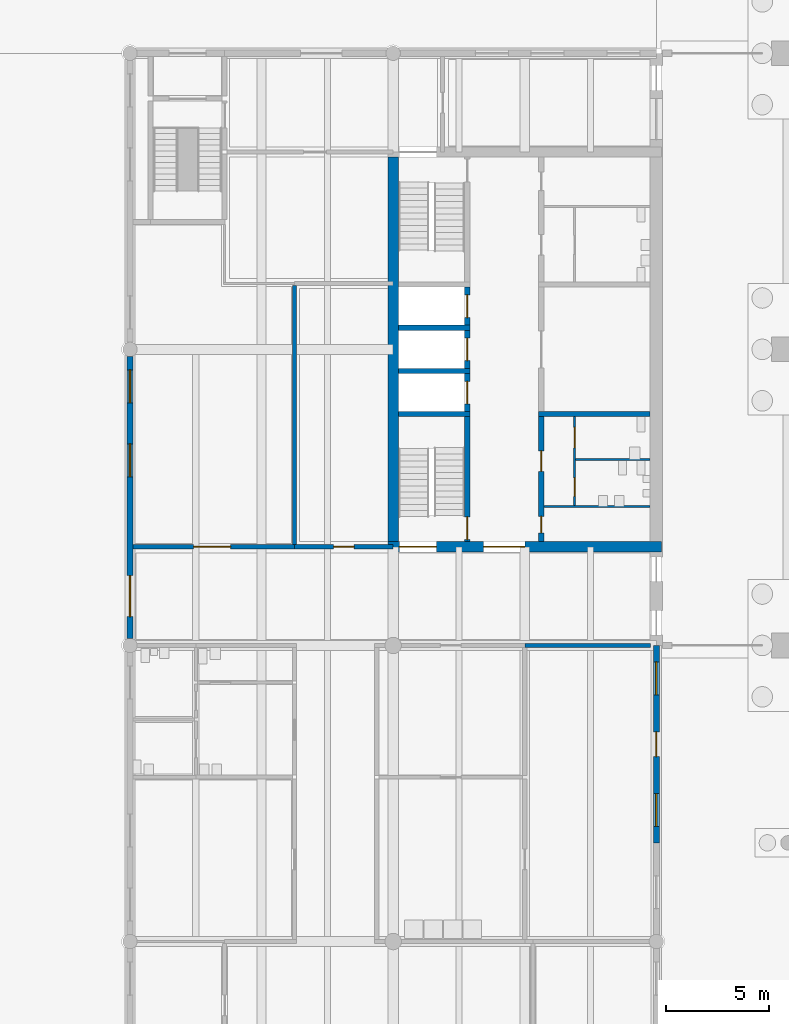
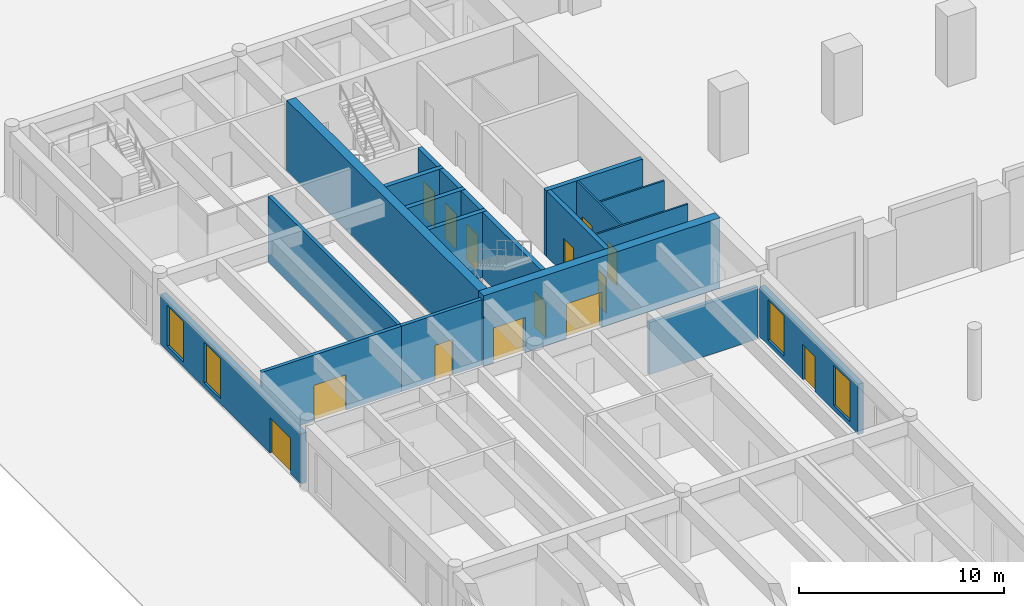
# One storey, part 14 of 28: 20 walls, 14 doors, 4 windows, 18 openings.
"""IFC4 building model written with IfcOpenShell, lengths in metres."""

import ifcopenshell
import ifcopenshell.guid

model = None  # the IFC model being written
_history = None  # IfcOwnerHistory: only IFC2X3 demands one
_inside = {}  # id of a spatial element -> (the spatial element, [elements in it])
_under = {}  # id of a project, library or spatial element -> (it, [spatial elements below it])
_declared = {}  # id of a project -> (the project, [libraries it declares])
_typed = {}  # id of a type object -> (the type object, [elements of that type])
_made_of = {}  # id of a material, layer set ... -> (it, [elements and type objects made of it])


def new_model(schema):
    """Start an empty IFC model of exactly this schema.

    Asked for "IFC4X3", IfcOpenShell would pick the latest addendum, in which some entities
    have other attributes; the version numbers below select the first issue.
    IFC2X3 requires an IfcOwnerHistory on every rooted entity: one is made here for all.
    """
    global model, _history
    if schema == "IFC4X3":
        model = ifcopenshell.file(schema_version=(4, 3, 0, 0))
    else:
        model = ifcopenshell.file(schema=schema)
    _inside.clear()
    _under.clear()
    _declared.clear()
    _typed.clear()
    _made_of.clear()
    _history = None
    if model.schema == "IFC2X3":
        org = make("IfcOrganization", Name="unknown")
        user = make(
            "IfcPersonAndOrganization",
            ThePerson=make("IfcPerson", FamilyName="unknown"),
            TheOrganization=org,
        )
        app = make(
            "IfcApplication",
            ApplicationDeveloper=org,
            Version="unknown",
            ApplicationFullName="unknown",
            ApplicationIdentifier="unknown",
        )
        _history = make(
            "IfcOwnerHistory",
            OwningUser=user,
            OwningApplication=app,
            ChangeAction="ADDED",
            CreationDate=0,
        )
    return model


def make(cls, **values):
    """One entity of the class cls with the attributes given. An attribute that is None is left unset."""
    return model.create_entity(
        cls, **{name: value for name, value in values.items() if value is not None}
    )


def rooted(cls, **values):
    """An entity with a GlobalId (a new one), such as an element, a storey or a relation."""
    return make(cls, GlobalId=ifcopenshell.guid.new(), OwnerHistory=_history, **values)


def si_unit(unit_type, name, prefix=None):
    """IfcSIUnit, for example si_unit("LENGTHUNIT", "METRE", prefix="MILLI")."""
    return make("IfcSIUnit", UnitType=unit_type, Prefix=prefix, Name=name)


def assignment(units):
    """IfcUnitAssignment: the units of a project."""
    return None if units is None else make("IfcUnitAssignment", Units=units)


def point(xyz):
    """IfcCartesianPoint."""
    return None if xyz is None else make("IfcCartesianPoint", Coordinates=xyz)


def direction(xyz):
    """IfcDirection."""
    return None if xyz is None else make("IfcDirection", DirectionRatios=xyz)


def frame(location, z_axis=None, x_axis=None):
    """IfcAxis2Placement3D, a coordinate frame: its origin and axes. An axis left out is left unset."""
    return make(
        "IfcAxis2Placement3D",
        Location=point(location),
        Axis=direction(z_axis),
        RefDirection=direction(x_axis),
    )


def frame_2d(location, x_axis=None):
    """IfcAxis2Placement2D, a coordinate frame in the plane: its origin and x axis."""
    return make(
        "IfcAxis2Placement2D", Location=point(location), RefDirection=direction(x_axis)
    )


def origin():
    """The frame at (0, 0, 0) with its axes left unset."""
    return frame((0.0, 0.0, 0.0))


def place(relative_to, where):
    """IfcLocalPlacement: puts the frame where relative to a parent placement (None: the world)."""
    return make(
        "IfcLocalPlacement", PlacementRelTo=relative_to, RelativePlacement=where
    )


def context(
    kind, dimensions, precision=None, world=None, true_north=None, identifier=None
):
    """IfcGeometricRepresentationContext, for example the 3D "Model" context."""
    return make(
        "IfcGeometricRepresentationContext",
        ContextIdentifier=identifier,
        ContextType=kind,
        CoordinateSpaceDimension=dimensions,
        Precision=precision,
        WorldCoordinateSystem=world,
        TrueNorth=true_north,
    )


def subcontext(parent, identifier, kind, view, scale=None):
    """IfcGeometricRepresentationSubContext, for example "Body" below "Model"."""
    return make(
        "IfcGeometricRepresentationSubContext",
        ContextIdentifier=identifier,
        ContextType=kind,
        ParentContext=parent,
        TargetScale=scale,
        TargetView=view,
    )


def project(units=None, contexts=None):
    """IfcProject with its units and contexts."""
    return rooted(
        "IfcProject",
        Name="project",
        RepresentationContexts=contexts,
        UnitsInContext=assignment(units),
    )


def spatial(cls, under=None, at=None, **own):
    """A site, building, storey or space (cls), placed at a placement, below another one or the project."""
    s = rooted(cls, ObjectPlacement=at, **own)
    if under is not None:
        _under.setdefault(under.id(), (under, []))[1].append(s)
    return s


def profile(cls, at=None, kind="AREA", **sizes):
    """A parametric profile (cls). Its sizes go by their IFC names, for example OverallWidth=200.0."""
    return make(cls, ProfileType=kind, Position=at, **sizes)


def rectangle(**sizes):
    """IfcRectangleProfileDef."""
    return profile("IfcRectangleProfileDef", **sizes)


def extrude(swept, where, along, depth):
    """IfcExtrudedAreaSolid: the profile swept, set in the frame where, extruded along a direction by depth."""
    return make(
        "IfcExtrudedAreaSolid",
        SweptArea=swept,
        Position=where,
        ExtrudedDirection=direction(along),
        Depth=depth,
    )


def shape(context_of_items, identifier, shape_type, items):
    """IfcShapeRepresentation: the items that make up one representation, for example the "Body"."""
    return make(
        "IfcShapeRepresentation",
        ContextOfItems=context_of_items,
        RepresentationIdentifier=identifier,
        RepresentationType=shape_type,
        Items=items,
    )


def material(Name=None, Category=None):
    """IfcMaterial."""
    return make("IfcMaterial", Name=Name, Category=Category)


def layer(
    of_material, thickness, ventilated=None, Name=None, Category=None, Priority=None
):
    """IfcMaterialLayer: one layer of a wall or slab, of a material (None: an air gap)."""
    return make(
        "IfcMaterialLayer",
        Material=of_material,
        LayerThickness=thickness,
        IsVentilated=ventilated,
        Name=Name,
        Category=Category,
        Priority=Priority,
    )


def layer_set(layers, Name=None):
    """IfcMaterialLayerSet."""
    return make("IfcMaterialLayerSet", MaterialLayers=layers, LayerSetName=Name)


def made_of(thing, what):
    """Note that an element or type object is made of a material, layer set ...; save() writes the relation."""
    if what is not None:
        _made_of.setdefault(what.id(), (what, []))[1].append(thing)
    return thing


def type_object(cls, material=None, **own):
    """A type object (cls), such as IfcWallType, which elements share."""
    return made_of(rooted(cls, **own), material)


def element(
    cls,
    number,
    at=None,
    inside=None,
    cuts=None,
    type_object=None,
    material=None,
    context=None,
    identifier="Body",
    shape_type=None,
    held_by="IfcProductDefinitionShape",
    body=None,
    shapes=None,
    **own,
):
    """One element of the class cls, such as IfcWall. Its Tag is "e" and its number.

    at: its placement. inside: the storey or other place that contains it. cuts: it is an
    opening in that element (IfcRelVoidsElement). A single representation is given by context,
    identifier, shape_type and body (its items); several are given by shapes. held_by: the class
    of the entity that holds the representations. save() writes the other relations.
    """
    e = rooted(cls, Tag="e%d" % number, ObjectPlacement=at, **own)
    if body is not None:
        shapes = [shape(context, identifier, shape_type, body)]
    if shapes is not None:
        e.Representation = make(held_by, Representations=shapes)
    if inside is not None:
        _inside.setdefault(inside.id(), (inside, []))[1].append(e)
    if cuts is not None:
        rooted(
            "IfcRelVoidsElement", RelatingBuildingElement=cuts, RelatedOpeningElement=e
        )
    if type_object is not None:
        _typed.setdefault(type_object.id(), (type_object, []))[1].append(e)
    return made_of(e, material)


def fill(opening, filler):
    """IfcRelFillsElement: the door or window that sits in an opening."""
    return rooted(
        "IfcRelFillsElement",
        RelatingOpeningElement=opening,
        RelatedBuildingElement=filler,
    )


def aggregate(whole, parts):
    """IfcRelAggregates: a whole, such as a stair, and the parts it consists of."""
    return rooted("IfcRelAggregates", RelatingObject=whole, RelatedObjects=parts)


def save(model, path):
    """Write the relations noted so far, then the file.

    IfcRelAggregates (storeys below a building ...), IfcRelContainedInSpatialStructure (elements
    in a storey), IfcRelDefinesByType, IfcRelAssociatesMaterial and IfcRelDeclares: one each for
    every whole, place, type object, material and project.
    """
    for whole, parts in _under.values():
        aggregate(whole, parts)
    for where, things in _inside.values():
        rooted(
            "IfcRelContainedInSpatialStructure",
            RelatedElements=things,
            RelatingStructure=where,
        )
    for kind, things in _typed.values():
        rooted("IfcRelDefinesByType", RelatedObjects=things, RelatingType=kind)
    for what, things in _made_of.values():
        rooted("IfcRelAssociatesMaterial", RelatedObjects=things, RelatingMaterial=what)
    for by, libraries in _declared.values():
        rooted("IfcRelDeclares", RelatingContext=by, RelatedDefinitions=libraries)
    model.write(path)


model = new_model("IFC4")

# Units and contexts
model_context = context("Model", 3, precision=1e-05, world=origin(), true_north=direction((0.0, 1.0)))
body_context = subcontext(model_context, "Body", "Model", "MODEL_VIEW")
ifc_project = project(units=[si_unit("LENGTHUNIT", "METRE"), si_unit("AREAUNIT", "SQUARE_METRE"), si_unit("VOLUMEUNIT", "CUBIC_METRE"), si_unit("PLANEANGLEUNIT", "RADIAN"), si_unit("MASSUNIT", "GRAM", prefix="KILO")], contexts=[model_context])

# Site, building, storey
site_placement = place(None, origin())
site = spatial("IfcSite", under=ifc_project, at=site_placement, CompositionType="ELEMENT")
building_placement = place(site_placement, origin())
building = spatial("IfcBuilding", under=site, at=building_placement, Name="Fogon Plaza Fire Station and Headquarters Tower", CompositionType="ELEMENT")
storey_placement = place(building_placement, origin())
storey = spatial("IfcBuildingStorey", under=building, at=storey_placement, Name="L00", CompositionType="ELEMENT", Elevation=0.0)

# Wall, openings, door, windows
ifc_material_1 = material(Name="Concrete C40", Category="concrete")
ifc_layer_1 = layer(ifc_material_1, 0.300048828125)
ifc_layer_set_1 = layer_set([ifc_layer_1], Name="Concrete C40")
wall_type_1 = type_object("IfcWallType", Name="Board-marked RC Infill Wall 300", PredefinedType="SOLIDWALL", material=ifc_layer_set_1)
wall_1_placement = place(storey_placement, frame((0.0, 29.14990234375, 0.0), z_axis=(0.0, 0.0, 1.0), x_axis=(0.0, 1.0, 0.0)))
wall_1 = element("IfcWall", 1, at=wall_1_placement, inside=storey, type_object=wall_type_1, Name="Exterior wall WW L00", PredefinedType="SOLIDWALL", context=body_context, shape_type="SweptSolid", body=[
    extrude(rectangle(XDim=13.7001953125, YDim=0.300048828125, at=frame_2d((6.85009765625, 0.0))), origin(), (0.0, 0.0, 1.0), 3.0),
])
opening_1_placement = place(wall_1_placement, frame((1.050048828125, 0.0, 0.0)))
opening_1 = element("IfcOpeningElement", 2, at=opening_1_placement, cuts=wall_1, Name="Opening L00-D06", PredefinedType="OPENING", context=body_context, shape_type="SweptSolid", body=[
    extrude(rectangle(XDim=2.0, YDim=2.10009765625, at=frame_2d((1.0, 1.050048828125))), frame((0.0, 0.159912109375, 0.0), z_axis=(0.0, -1.0, 0.0), x_axis=(1.0, 0.0, 0.0)), (0.0, 0.0, 1.0), 0.320068359375),
])
opening_2_placement = place(wall_1_placement, frame((7.85009765625, 0.0, 0.300048828125)))
opening_2 = element("IfcOpeningElement", 3, at=opening_2_placement, cuts=wall_1, Name="Opening W2", PredefinedType="OPENING", context=body_context, shape_type="SweptSolid", body=[
    extrude(rectangle(XDim=1.60009765625, YDim=2.39990234375, at=frame_2d((0.800048828125, 1.199951171875))), frame((0.0, 0.159912109375, 0.0), z_axis=(0.0, -1.0, 0.0), x_axis=(1.0, 0.0, 0.0)), (0.0, 0.0, 1.0), 0.320068359375),
])
opening_3_placement = place(wall_1_placement, frame((11.449951171875, 0.0, 0.300048828125)))
opening_3 = element("IfcOpeningElement", 4, at=opening_3_placement, cuts=wall_1, Name="Opening W2", PredefinedType="OPENING", context=body_context, shape_type="SweptSolid", body=[
    extrude(rectangle(XDim=1.60009765625, YDim=2.39990234375, at=frame_2d((0.800048828125, 1.199951171875))), frame((0.0, 0.159912109375, 0.0), z_axis=(0.0, -1.0, 0.0), x_axis=(1.0, 0.0, 0.0)), (0.0, 0.0, 1.0), 0.320068359375),
])
ifc_material_2 = material(Name="Steel Door Leaf", Category="steel")
door_type_1 = type_object("IfcDoorType", Name="Exit Double 2000x2100", OperationType="SINGLE_SWING_LEFT", PredefinedType="DOOR", material=ifc_material_2)
door_1_placement = place(opening_1_placement, origin())
door_1 = element("IfcDoor", 5, at=door_1_placement, inside=storey, type_object=door_type_1, Name="Exterior door L00-D06", OperationType="SINGLE_SWING_LEFT", OverallHeight=2.10009765625, OverallWidth=2.0, PredefinedType="DOOR", context=body_context, shape_type="SweptSolid", body=[
    extrude(rectangle(XDim=2.0, YDim=2.10009765625, at=frame_2d((1.0, 1.050048828125))), frame((0.0, 0.02490234375, 0.0), z_axis=(0.0, -1.0, 0.0), x_axis=(1.0, 0.0, 0.0)), (0.0, 0.0, 1.0), 0.050048828125),
])
fill(opening_1, door_1)
ifc_material_3 = material(Name="Aluminium framed double glazing", Category="aluminium")
window_type = type_object("IfcWindowType", Name="Window W2 1600x2400", PartitioningType="SINGLE_PANEL", PredefinedType="WINDOW", material=ifc_material_3)
window_1_placement = place(opening_2_placement, origin())
window_1 = element("IfcWindow", 6, at=window_1_placement, inside=storey, type_object=window_type, Name="Window W2 W L00", OverallHeight=2.39990234375, OverallWidth=1.60009765625, PartitioningType="SINGLE_PANEL", PredefinedType="WINDOW", context=body_context, shape_type="SweptSolid", body=[
    extrude(rectangle(XDim=1.60009765625, YDim=2.39990234375, at=frame_2d((0.800048828125, 1.199951171875))), frame((0.0, 0.030029296875, 0.0), z_axis=(0.0, -1.0, 0.0), x_axis=(1.0, 0.0, 0.0)), (0.0, 0.0, 1.0), 0.06005859375),
])
fill(opening_2, window_1)
window_2_placement = place(opening_3_placement, origin())
window_2 = element("IfcWindow", 7, at=window_2_placement, inside=storey, type_object=window_type, Name="Window W2 W L00", OverallHeight=2.39990234375, OverallWidth=1.60009765625, PartitioningType="SINGLE_PANEL", PredefinedType="WINDOW", context=body_context, shape_type="SweptSolid", body=[
    extrude(rectangle(XDim=1.60009765625, YDim=2.39990234375, at=frame_2d((0.800048828125, 1.199951171875))), frame((0.0, 0.030029296875, 0.0), z_axis=(0.0, -1.0, 0.0), x_axis=(1.0, 0.0, 0.0)), (0.0, 0.0, 1.0), 0.06005859375),
])
fill(opening_3, window_2)

wall_2_placement = place(storey_placement, frame((25.60009765625, 19.199951171875, 0.0), z_axis=(0.0, 0.0, 1.0), x_axis=(0.0, 1.0, 0.0)))
wall_2 = element("IfcWall", 8, at=wall_2_placement, inside=storey, type_object=wall_type_1, Name="Exterior wall WE L00", PredefinedType="SOLIDWALL", context=body_context, shape_type="SweptSolid", body=[
    extrude(rectangle(XDim=9.60009765625, YDim=0.300048828125, at=frame_2d((4.800048828125, 0.0))), origin(), (0.0, 0.0, 1.0), 3.0),
])
opening_4_placement = place(wall_2_placement, frame((4.199951171875, 0.0, 0.0)))
opening_4 = element("IfcOpeningElement", 9, at=opening_4_placement, cuts=wall_2, Name="Opening L00-D07", PredefinedType="OPENING", context=body_context, shape_type="SweptSolid", body=[
    extrude(rectangle(XDim=1.199951171875, YDim=2.10009765625, at=frame_2d((0.60009765625, 1.050048828125))), frame((0.0, 0.159912109375, 0.0), z_axis=(0.0, -1.0, 0.0), x_axis=(1.0, 0.0, 0.0)), (0.0, 0.0, 1.0), 0.320068359375),
])
opening_5_placement = place(wall_2_placement, frame((0.800048828125, 0.0, 0.300048828125)))
opening_5 = element("IfcOpeningElement", 10, at=opening_5_placement, cuts=wall_2, Name="Opening W2", PredefinedType="OPENING", context=body_context, shape_type="SweptSolid", body=[
    extrude(rectangle(XDim=1.60009765625, YDim=2.39990234375, at=frame_2d((0.800048828125, 1.199951171875))), frame((0.0, 0.159912109375, 0.0), z_axis=(0.0, -1.0, 0.0), x_axis=(1.0, 0.0, 0.0)), (0.0, 0.0, 1.0), 0.320068359375),
])
opening_6_placement = place(wall_2_placement, frame((7.199951171875, 0.0, 0.300048828125)))
opening_6 = element("IfcOpeningElement", 11, at=opening_6_placement, cuts=wall_2, Name="Opening W2", PredefinedType="OPENING", context=body_context, shape_type="SweptSolid", body=[
    extrude(rectangle(XDim=1.60009765625, YDim=2.39990234375, at=frame_2d((0.800048828125, 1.199951171875))), frame((0.0, 0.159912109375, 0.0), z_axis=(0.0, -1.0, 0.0), x_axis=(1.0, 0.0, 0.0)), (0.0, 0.0, 1.0), 0.320068359375),
])
ifc_material_4 = material(Name="Steel Door Leaf", Category="steel")
door_type_2 = type_object("IfcDoorType", Name="Service Single 1200x2100", OperationType="SINGLE_SWING_LEFT", PredefinedType="DOOR", material=ifc_material_4)
door_2_placement = place(opening_4_placement, frame((1.199951171875, 0.0, 0.0), z_axis=(0.0, 0.0, 1.0), x_axis=(-1.0, 0.0, 0.0)))
door_2 = element("IfcDoor", 12, at=door_2_placement, inside=storey, type_object=door_type_2, Name="Exterior door L00-D07", OperationType="SINGLE_SWING_LEFT", OverallHeight=2.10009765625, OverallWidth=1.199951171875, PredefinedType="DOOR", context=body_context, shape_type="SweptSolid", body=[
    extrude(rectangle(XDim=1.199951171875, YDim=2.10009765625, at=frame_2d((0.60009765625, 1.050048828125))), frame((0.0, 0.02490234375, 0.0), z_axis=(0.0, -1.0, 0.0), x_axis=(1.0, 0.0, 0.0)), (0.0, 0.0, 1.0), 0.050048828125),
])
fill(opening_4, door_2)
window_3_placement = place(opening_5_placement, origin())
window_3 = element("IfcWindow", 13, at=window_3_placement, inside=storey, type_object=window_type, Name="Window W2 E L00", OverallHeight=2.39990234375, OverallWidth=1.60009765625, PartitioningType="SINGLE_PANEL", PredefinedType="WINDOW", context=body_context, shape_type="SweptSolid", body=[
    extrude(rectangle(XDim=1.60009765625, YDim=2.39990234375, at=frame_2d((0.800048828125, 1.199951171875))), frame((0.0, 0.030029296875, 0.0), z_axis=(0.0, -1.0, 0.0), x_axis=(1.0, 0.0, 0.0)), (0.0, 0.0, 1.0), 0.06005859375),
])
fill(opening_5, window_3)
window_4_placement = place(opening_6_placement, origin())
window_4 = element("IfcWindow", 14, at=window_4_placement, inside=storey, type_object=window_type, Name="Window W2 E L00", OverallHeight=2.39990234375, OverallWidth=1.60009765625, PartitioningType="SINGLE_PANEL", PredefinedType="WINDOW", context=body_context, shape_type="SweptSolid", body=[
    extrude(rectangle(XDim=1.60009765625, YDim=2.39990234375, at=frame_2d((0.800048828125, 1.199951171875))), frame((0.0, 0.030029296875, 0.0), z_axis=(0.0, -1.0, 0.0), x_axis=(1.0, 0.0, 0.0)), (0.0, 0.0, 1.0), 0.06005859375),
])
fill(opening_6, window_4)

# Wall, opening, door
ifc_material_5 = material(Name="Concrete Block Fire Wall", Category="concrete")
ifc_layer_2 = layer(ifc_material_5, 0.199951171875)
ifc_layer_set_2 = layer_set([ifc_layer_2], Name="Concrete Block Fire Wall")
wall_type_2 = type_object("IfcWallType", Name="Compartment Wall EI 120", PredefinedType="PARTITIONING", material=ifc_layer_set_2)
wall_3_placement = place(storey_placement, frame((8.0, 33.60009765625, 0.0), z_axis=(0.0, 0.0, 1.0), x_axis=(1.0, 0.0, 0.0)))
wall_3 = element("IfcWall", 15, at=wall_3_placement, inside=storey, type_object=wall_type_2, Name="wall-L00-W-022", PredefinedType="PARTITIONING", context=body_context, shape_type="SweptSolid", body=[
    extrude(rectangle(XDim=4.800048828125, YDim=0.199951171875, at=frame_2d((2.39990234375, 0.0))), origin(), (0.0, 0.0, 1.0), 3.89990234375),
])
opening_7_placement = place(wall_3_placement, frame((1.89990234375, 0.0, 0.0)))
opening_7 = element("IfcOpeningElement", 16, at=opening_7_placement, cuts=wall_3, Name="Opening L00-D75", PredefinedType="OPENING", context=body_context, shape_type="SweptSolid", body=[
    extrude(rectangle(XDim=1.0, YDim=2.10009765625, at=frame_2d((0.5, 1.050048828125))), frame((0.0, 0.10986328125, 0.0), z_axis=(0.0, -1.0, 0.0), x_axis=(1.0, 0.0, 0.0)), (0.0, 0.0, 1.0), 0.219970703125),
])
ifc_material_6 = material(Name="Steel Fire Door Leaf", Category="steel")
door_type_3 = type_object("IfcDoorType", Name="Fire Door EI 90 1000x2100", OperationType="SINGLE_SWING_LEFT", PredefinedType="DOOR", material=ifc_material_6)
door_3_placement = place(opening_7_placement, origin())
door_3 = element("IfcDoor", 17, at=door_3_placement, inside=storey, type_object=door_type_3, Name="door-L00-W-15", OperationType="SINGLE_SWING_RIGHT", OverallHeight=2.10009765625, OverallWidth=1.0, PredefinedType="DOOR", context=body_context, shape_type="SweptSolid", body=[
    extrude(rectangle(XDim=1.0, YDim=2.10009765625, at=frame_2d((0.5, 1.050048828125))), frame((0.0, 0.02490234375, 0.0), z_axis=(0.0, -1.0, 0.0), x_axis=(1.0, 0.0, 0.0)), (0.0, 0.0, 1.0), 0.050048828125),
])
fill(opening_7, door_3)

# Walls
wall_4_placement = place(storey_placement, frame((8.0, 33.699951171875, 0.0), z_axis=(0.0, 0.0, 1.0), x_axis=(0.0, 1.0, 0.0)))
element("IfcWall", 18, at=wall_4_placement, inside=storey, type_object=wall_type_2, Name="wall-L00-W-046", PredefinedType="PARTITIONING", context=body_context, shape_type="SweptSolid", body=[
    extrude(rectangle(XDim=12.60009765625, YDim=0.199951171875, at=frame_2d((6.300048828125, 0.0))), origin(), (0.0, 0.0, 1.0), 3.89990234375),
])
ifc_material_7 = material(Name="Concrete Block Fire Wall", Category="concrete")
ifc_layer_3 = layer(ifc_material_7, 0.199951171875)
ifc_layer_set_3 = layer_set([ifc_layer_3], Name="Concrete Block Fire Wall")
wall_type_3 = type_object("IfcWallType", Name="Compartment Wall EI 120 Beam Head 800", PredefinedType="PARTITIONING", material=ifc_layer_set_3)
wall_5_placement = place(storey_placement, frame((19.199951171875, 28.800048828125, 0.0), z_axis=(0.0, 0.0, 1.0), x_axis=(1.0, 0.0, 0.0)))
element("IfcWall", 19, at=wall_5_placement, inside=storey, type_object=wall_type_3, Name="wall-L00-W-020", PredefinedType="PARTITIONING", context=body_context, shape_type="SweptSolid", body=[
    extrude(rectangle(XDim=6.110107421875, YDim=0.199951171875, at=frame_2d((3.05517578125, 0.0))), origin(), (0.0, 0.0, 1.0), 3.10009765625),
])
ifc_material_8 = material(Name="Concrete C40", Category="concrete")
ifc_layer_4 = layer(ifc_material_8, 0.25)
ifc_layer_set_4 = layer_set([ifc_layer_4], Name="Concrete C40")
wall_type_4 = type_object("IfcWallType", Name="Core Wall RC 250", PredefinedType="SOLIDWALL", material=ifc_layer_set_4)
for number, where, z_axis, x_axis, name in (
    (20, (13.050048828125, 40.050048828125, 0.0), (0.0, 0.0, 1.0), (1.0, 0.0, 0.0), "Core A shaft wall"),
    (21, (13.050048828125, 42.14990234375, 0.0), (0.0, 0.0, 1.0), (1.0, 0.0, 0.0), "Core A shaft wall"),
    (22, (13.050048828125, 44.25, 0.0), (0.0, 0.0, 1.0), (1.0, 0.0, 0.0), "Core A shaft wall"),
):
    element("IfcWall", number, at=place(storey_placement, frame(where, z_axis=z_axis, x_axis=x_axis)), inside=storey, type_object=wall_type_4, Name=name, PredefinedType="SOLIDWALL", context=body_context, shape_type="SweptSolid", body=[
        extrude(rectangle(XDim=3.474853515625, YDim=0.25, at=frame_2d((1.7373046875, 0.0))), origin(), (0.0, 0.0, 1.0), 3.89990234375),
    ])

# Wall, opening, door
wall_6_placement = place(storey_placement, frame((16.39990234375, 33.85009765625, 0.0), z_axis=(0.0, 0.0, 1.0), x_axis=(0.0, 1.0, 0.0)))
wall_6 = element("IfcWall", 23, at=wall_6_placement, inside=storey, type_object=wall_type_4, Name="Core A shaft wall", PredefinedType="SOLIDWALL", context=body_context, shape_type="SweptSolid", body=[
    extrude(rectangle(XDim=6.074951171875, YDim=0.25, at=frame_2d((3.03759765625, 0.0))), origin(), (0.0, 0.0, 1.0), 3.89990234375),
])
opening_8_placement = place(wall_6_placement, frame((0.10009765625, 0.0, 0.0)))
opening_8 = element("IfcOpeningElement", 24, at=opening_8_placement, cuts=wall_6, Name="Opening L00-D29", PredefinedType="OPENING", context=body_context, shape_type="SweptSolid", body=[
    extrude(rectangle(XDim=1.10009765625, YDim=2.10009765625, at=frame_2d((0.550048828125, 1.050048828125))), frame((0.0, 0.135009765625, 0.0), z_axis=(0.0, -1.0, 0.0), x_axis=(1.0, 0.0, 0.0)), (0.0, 0.0, 1.0), 0.27001953125),
])
ifc_material_9 = material(Name="Steel Fire Door Leaf", Category="steel")
door_type_4 = type_object("IfcDoorType", Name="Stair Door Single 1100x2100", OperationType="SINGLE_SWING_LEFT", PredefinedType="DOOR", material=ifc_material_9)
door_4_placement = place(opening_8_placement, frame((1.10009765625, 0.0, 0.0), z_axis=(0.0, 0.0, 1.0), x_axis=(-1.0, 0.0, 0.0)))
door_4 = element("IfcDoor", 25, at=door_4_placement, inside=storey, type_object=door_type_4, Name="Stair door ST1", OperationType="SINGLE_SWING_RIGHT", OverallHeight=2.10009765625, OverallWidth=1.10009765625, PredefinedType="DOOR", context=body_context, shape_type="SweptSolid", body=[
    extrude(rectangle(XDim=1.10009765625, YDim=2.10009765625, at=frame_2d((0.550048828125, 1.050048828125))), frame((0.0, 0.02490234375, 0.0), z_axis=(0.0, -1.0, 0.0), x_axis=(1.0, 0.0, 0.0)), (0.0, 0.0, 1.0), 0.050048828125),
])
fill(opening_8, door_4)

wall_7_placement = place(storey_placement, frame((16.39990234375, 40.175048828125, 0.0), z_axis=(0.0, 0.0, 1.0), x_axis=(0.0, 1.0, 0.0)))
wall_7 = element("IfcWall", 26, at=wall_7_placement, inside=storey, type_object=wall_type_4, Name="Core A shaft wall", PredefinedType="SOLIDWALL", context=body_context, shape_type="SweptSolid", body=[
    extrude(rectangle(XDim=1.849853515625, YDim=0.25, at=frame_2d((0.9248046875, 0.0))), origin(), (0.0, 0.0, 1.0), 3.89990234375),
])
opening_9_placement = place(wall_7_placement, frame((0.375, 0.0, 0.0)))
opening_9 = element("IfcOpeningElement", 27, at=opening_9_placement, cuts=wall_7, Name="Opening L00-D31", PredefinedType="OPENING", context=body_context, shape_type="SweptSolid", body=[
    extrude(rectangle(XDim=1.10009765625, YDim=2.10009765625, at=frame_2d((0.550048828125, 1.050048828125))), frame((0.0, 0.135009765625, 0.0), z_axis=(0.0, -1.0, 0.0), x_axis=(1.0, 0.0, 0.0)), (0.0, 0.0, 1.0), 0.27001953125),
])
ifc_material_10 = material(Name="Stainless Steel", Category="steel")
door_type_5 = type_object("IfcDoorType", Name="Lift Landing Door 1100x2100", OperationType="SLIDING_TO_LEFT", PredefinedType="DOOR", material=ifc_material_10)
door_5_placement = place(opening_9_placement, origin())
door_5 = element("IfcDoor", 28, at=door_5_placement, inside=storey, type_object=door_type_5, Name="Lift LP1 landing door", OperationType="SLIDING_TO_LEFT", OverallHeight=2.10009765625, OverallWidth=1.10009765625, PredefinedType="DOOR", context=body_context, shape_type="SweptSolid", body=[
    extrude(rectangle(XDim=1.10009765625, YDim=2.10009765625, at=frame_2d((0.550048828125, 1.050048828125))), frame((0.0, 0.02490234375, 0.0), z_axis=(0.0, -1.0, 0.0), x_axis=(1.0, 0.0, 0.0)), (0.0, 0.0, 1.0), 0.050048828125),
])
fill(opening_9, door_5)

wall_8_placement = place(storey_placement, frame((16.39990234375, 42.27490234375, 0.0), z_axis=(0.0, 0.0, 1.0), x_axis=(0.0, 1.0, 0.0)))
wall_8 = element("IfcWall", 29, at=wall_8_placement, inside=storey, type_object=wall_type_4, Name="Core A shaft wall", PredefinedType="SOLIDWALL", context=body_context, shape_type="SweptSolid", body=[
    extrude(rectangle(XDim=1.85009765625, YDim=0.25, at=frame_2d((0.925048828125, 0.0))), origin(), (0.0, 0.0, 1.0), 3.89990234375),
])
opening_10_placement = place(wall_8_placement, frame((0.375, 0.0, 0.0)))
opening_10 = element("IfcOpeningElement", 30, at=opening_10_placement, cuts=wall_8, Name="Opening L00-D32", PredefinedType="OPENING", context=body_context, shape_type="SweptSolid", body=[
    extrude(rectangle(XDim=1.10009765625, YDim=2.10009765625, at=frame_2d((0.550048828125, 1.050048828125))), frame((0.0, 0.135009765625, 0.0), z_axis=(0.0, -1.0, 0.0), x_axis=(1.0, 0.0, 0.0)), (0.0, 0.0, 1.0), 0.27001953125),
])
door_6_placement = place(opening_10_placement, origin())
door_6 = element("IfcDoor", 31, at=door_6_placement, inside=storey, type_object=door_type_5, Name="Lift LP2 landing door", OperationType="SLIDING_TO_LEFT", OverallHeight=2.10009765625, OverallWidth=1.10009765625, PredefinedType="DOOR", context=body_context, shape_type="SweptSolid", body=[
    extrude(rectangle(XDim=1.10009765625, YDim=2.10009765625, at=frame_2d((0.550048828125, 1.050048828125))), frame((0.0, 0.02490234375, 0.0), z_axis=(0.0, -1.0, 0.0), x_axis=(1.0, 0.0, 0.0)), (0.0, 0.0, 1.0), 0.050048828125),
])
fill(opening_10, door_6)

wall_9_placement = place(storey_placement, frame((16.39990234375, 44.375, 0.0), z_axis=(0.0, 0.0, 1.0), x_axis=(0.0, 1.0, 0.0)))
wall_9 = element("IfcWall", 32, at=wall_9_placement, inside=storey, type_object=wall_type_4, Name="Core A shaft wall", PredefinedType="SOLIDWALL", context=body_context, shape_type="SweptSolid", body=[
    extrude(rectangle(XDim=1.85009765625, YDim=0.25, at=frame_2d((0.925048828125, 0.0))), origin(), (0.0, 0.0, 1.0), 3.89990234375),
])
opening_11_placement = place(wall_9_placement, frame((0.375, 0.0, 0.0)))
opening_11 = element("IfcOpeningElement", 33, at=opening_11_placement, cuts=wall_9, Name="Opening L00-D33", PredefinedType="OPENING", context=body_context, shape_type="SweptSolid", body=[
    extrude(rectangle(XDim=1.10009765625, YDim=2.10009765625, at=frame_2d((0.550048828125, 1.050048828125))), frame((0.0, 0.135009765625, 0.0), z_axis=(0.0, -1.0, 0.0), x_axis=(1.0, 0.0, 0.0)), (0.0, 0.0, 1.0), 0.27001953125),
])
door_7_placement = place(opening_11_placement, origin())
door_7 = element("IfcDoor", 34, at=door_7_placement, inside=storey, type_object=door_type_5, Name="Lift FL1 landing door", OperationType="SLIDING_TO_LEFT", OverallHeight=2.10009765625, OverallWidth=1.10009765625, PredefinedType="DOOR", context=body_context, shape_type="SweptSolid", body=[
    extrude(rectangle(XDim=1.10009765625, YDim=2.10009765625, at=frame_2d((0.550048828125, 1.050048828125))), frame((0.0, 0.02490234375, 0.0), z_axis=(0.0, -1.0, 0.0), x_axis=(1.0, 0.0, 0.0)), (0.0, 0.0, 1.0), 0.050048828125),
])
fill(opening_11, door_7)

# Wall, openings, doors
wall_10_placement = place(storey_placement, frame((20.0, 33.85009765625, 0.0), z_axis=(0.0, 0.0, 1.0), x_axis=(0.0, 1.0, 0.0)))
wall_10 = element("IfcWall", 35, at=wall_10_placement, inside=storey, type_object=wall_type_4, Name="Core A shaft wall", PredefinedType="SOLIDWALL", context=body_context, shape_type="SweptSolid", body=[
    extrude(rectangle(XDim=6.074951171875, YDim=0.25, at=frame_2d((3.03759765625, 0.0))), origin(), (0.0, 0.0, 1.0), 3.89990234375),
])
opening_12_placement = place(wall_10_placement, frame((0.425048828125, 0.0, 0.0)))
opening_12 = element("IfcOpeningElement", 36, at=opening_12_placement, cuts=wall_10, Name="Opening L00-D35", PredefinedType="OPENING", context=body_context, shape_type="SweptSolid", body=[
    extrude(rectangle(XDim=0.800048828125, YDim=2.10009765625, at=frame_2d((0.39990234375, 1.050048828125))), frame((0.0, 0.135009765625, 0.0), z_axis=(0.0, -1.0, 0.0), x_axis=(1.0, 0.0, 0.0)), (0.0, 0.0, 1.0), 0.27001953125),
])
opening_13_placement = place(wall_10_placement, frame((3.41259765625, 0.0, 0.0)))
opening_13 = element("IfcOpeningElement", 37, at=opening_13_placement, cuts=wall_10, Name="Opening L00-D36", PredefinedType="OPENING", context=body_context, shape_type="SweptSolid", body=[
    extrude(rectangle(XDim=1.0, YDim=2.10009765625, at=frame_2d((0.5, 1.050048828125))), frame((0.0, 0.135009765625, 0.0), z_axis=(0.0, -1.0, 0.0), x_axis=(1.0, 0.0, 0.0)), (0.0, 0.0, 1.0), 0.27001953125),
])
ifc_material_11 = material(Name="Timber Door Leaf", Category="wood")
door_type_6 = type_object("IfcDoorType", Name="Cleaner Store Single 800x2100", OperationType="SINGLE_SWING_LEFT", PredefinedType="DOOR", material=ifc_material_11)
door_8_placement = place(opening_12_placement, frame((0.800048828125, 0.0, 0.0), z_axis=(0.0, 0.0, 1.0), x_axis=(-1.0, 0.0, 0.0)))
door_8 = element("IfcDoor", 38, at=door_8_placement, inside=storey, type_object=door_type_6, Name="Cleaner's store A door", OperationType="SINGLE_SWING_RIGHT", OverallHeight=2.10009765625, OverallWidth=0.800048828125, PredefinedType="DOOR", context=body_context, shape_type="SweptSolid", body=[
    extrude(rectangle(XDim=0.800048828125, YDim=2.10009765625, at=frame_2d((0.39990234375, 1.050048828125))), frame((0.0, 0.02490234375, 0.0), z_axis=(0.0, -1.0, 0.0), x_axis=(1.0, 0.0, 0.0)), (0.0, 0.0, 1.0), 0.050048828125),
])
fill(opening_12, door_8)
ifc_material_12 = material(Name="Timber fire door", Category="wood")
door_type_7 = type_object("IfcDoorType", Name="WC Lobby Single 1000x2100", OperationType="SINGLE_SWING_LEFT", PredefinedType="DOOR", material=ifc_material_12)
door_9_placement = place(opening_13_placement, frame((1.0, 0.0, 0.0), z_axis=(0.0, 0.0, 1.0), x_axis=(-1.0, 0.0, 0.0)))
door_9 = element("IfcDoor", 39, at=door_9_placement, inside=storey, type_object=door_type_7, Name="Men's WC lobby A door", OperationType="SINGLE_SWING_LEFT", OverallHeight=2.10009765625, OverallWidth=1.0, PredefinedType="DOOR", context=body_context, shape_type="SweptSolid", body=[
    extrude(rectangle(XDim=1.0, YDim=2.10009765625, at=frame_2d((0.5, 1.050048828125))), frame((0.0, 0.02490234375, 0.0), z_axis=(0.0, -1.0, 0.0), x_axis=(1.0, 0.0, 0.0)), (0.0, 0.0, 1.0), 0.050048828125),
])
fill(opening_13, door_9)

# Wall
wall_11_placement = place(storey_placement, frame((19.875, 40.050048828125, 0.0), z_axis=(0.0, 0.0, 1.0), x_axis=(1.0, 0.0, 0.0)))
element("IfcWall", 40, at=wall_11_placement, inside=storey, type_object=wall_type_4, Name="Core A shaft wall", PredefinedType="SOLIDWALL", context=body_context, shape_type="SweptSolid", body=[
    extrude(rectangle(XDim=5.425048828125, YDim=0.25, at=frame_2d((2.71240234375, 0.0))), origin(), (0.0, 0.0, 1.0), 3.89990234375),
])

# Wall, opening, door
ifc_material_13 = material(Name="Gypsum Board Fire Partition")
ifc_layer_5 = layer(ifc_material_13, 0.199951171875)
ifc_layer_set_5 = layer_set([ifc_layer_5], Name="Gypsum Board Fire Partition")
wall_type_5 = type_object("IfcWallType", Name="Corridor Wall EI 60", PredefinedType="PARTITIONING", material=ifc_layer_set_5)
wall_12_placement = place(storey_placement, frame((0.14990234375, 33.60009765625, 0.0), z_axis=(0.0, 0.0, 1.0), x_axis=(1.0, 0.0, 0.0)))
wall_12 = element("IfcWall", 41, at=wall_12_placement, inside=storey, type_object=wall_type_5, Name="wall-L00-W-021", PredefinedType="PARTITIONING", context=body_context, shape_type="SweptSolid", body=[
    extrude(rectangle(XDim=7.85009765625, YDim=0.199951171875, at=frame_2d((3.925048828125, 0.0))), origin(), (0.0, 0.0, 1.0), 3.89990234375),
])
opening_14_placement = place(wall_12_placement, frame((2.949951171875, 0.0, 0.0)))
opening_14 = element("IfcOpeningElement", 42, at=opening_14_placement, cuts=wall_12, Name="Opening L00-D74", PredefinedType="OPENING", context=body_context, shape_type="SweptSolid", body=[
    extrude(rectangle(XDim=1.800048828125, YDim=2.10009765625, at=frame_2d((0.89990234375, 1.050048828125))), frame((0.0, 0.10986328125, 0.0), z_axis=(0.0, -1.0, 0.0), x_axis=(1.0, 0.0, 0.0)), (0.0, 0.0, 1.0), 0.219970703125),
])
ifc_material_14 = material(Name="Steel Fire Door Leaf", Category="steel")
door_type_8 = type_object("IfcDoorType", Name="Corridor Door Double EI 20 1800x2100", OperationType="SINGLE_SWING_LEFT", PredefinedType="DOOR", material=ifc_material_14)
door_10_placement = place(opening_14_placement, origin())
door_10 = element("IfcDoor", 43, at=door_10_placement, inside=storey, type_object=door_type_8, Name="door-L00-W-14", OperationType="DOUBLE_DOOR_SINGLE_SWING", OverallHeight=2.10009765625, OverallWidth=1.800048828125, PredefinedType="DOOR", context=body_context, shape_type="SweptSolid", body=[
    extrude(rectangle(XDim=1.800048828125, YDim=2.10009765625, at=frame_2d((0.89990234375, 1.050048828125))), frame((0.0, 0.02490234375, 0.0), z_axis=(0.0, -1.0, 0.0), x_axis=(1.0, 0.0, 0.0)), (0.0, 0.0, 1.0), 0.050048828125),
])
fill(opening_14, door_10)

# Wall
ifc_material_15 = material(Name="Blockwork", Category="masonry")
ifc_layer_6 = layer(ifc_material_15, 0.10009765625)
ifc_layer_set_6 = layer_set([ifc_layer_6], Name="Blockwork")
wall_type_6 = type_object("IfcWallType", Name="Partition Blockwork 100", PredefinedType="PARTITIONING", material=ifc_layer_set_6)
wall_13_placement = place(storey_placement, frame((20.125, 35.550048828125, 0.0), z_axis=(0.0, 0.0, 1.0), x_axis=(1.0, 0.0, 0.0)))
element("IfcWall", 44, at=wall_13_placement, inside=storey, type_object=wall_type_6, Name="Cleaner's store partition", PredefinedType="PARTITIONING", context=body_context, shape_type="SweptSolid", body=[
    extrude(rectangle(XDim=5.175048828125, YDim=0.10009765625, at=frame_2d((2.58740234375, 0.0))), origin(), (0.0, 0.0, 1.0), 3.89990234375),
])

# Wall, openings, doors
wall_14_placement = place(storey_placement, frame((21.625, 35.60009765625, 0.0), z_axis=(0.0, 0.0, 1.0), x_axis=(0.0, 1.0, 0.0)))
wall_14 = element("IfcWall", 45, at=wall_14_placement, inside=storey, type_object=wall_type_6, Name="WC block partition", PredefinedType="PARTITIONING", context=body_context, shape_type="SweptSolid", body=[
    extrude(rectangle(XDim=4.324951171875, YDim=0.10009765625, at=frame_2d((2.16259765625, 0.0))), origin(), (0.0, 0.0, 1.0), 3.89990234375),
])
opening_15_placement = place(wall_14_placement, frame((0.449951171875, 0.0, 0.0)))
opening_15 = element("IfcOpeningElement", 46, at=opening_15_placement, cuts=wall_14, Name="Opening L00-D37", PredefinedType="OPENING", context=body_context, shape_type="SweptSolid", body=[
    extrude(rectangle(XDim=0.89990234375, YDim=2.10009765625, at=frame_2d((0.449951171875, 1.050048828125))), frame((0.0, 0.06005859375, 0.0), z_axis=(0.0, -1.0, 0.0), x_axis=(1.0, 0.0, 0.0)), (0.0, 0.0, 1.0), 0.1201171875),
])
opening_16_placement = place(wall_14_placement, frame((2.8125, 0.0, 0.0)))
opening_16 = element("IfcOpeningElement", 47, at=opening_16_placement, cuts=wall_14, Name="Opening L00-D38", PredefinedType="OPENING", context=body_context, shape_type="SweptSolid", body=[
    extrude(rectangle(XDim=1.0, YDim=2.10009765625, at=frame_2d((0.5, 1.050048828125))), frame((0.0, 0.06005859375, 0.0), z_axis=(0.0, -1.0, 0.0), x_axis=(1.0, 0.0, 0.0)), (0.0, 0.0, 1.0), 0.1201171875),
])
ifc_material_16 = material(Name="Timber Door Leaf", Category="wood")
door_type_9 = type_object("IfcDoorType", Name="Accessible WC Single 1000x2100", OperationType="SINGLE_SWING_LEFT", PredefinedType="DOOR", material=ifc_material_16)
door_11_placement = place(opening_16_placement, frame((1.0, 0.0, 0.0), z_axis=(0.0, 0.0, 1.0), x_axis=(-1.0, 0.0, 0.0)))
door_11 = element("IfcDoor", 48, at=door_11_placement, inside=storey, type_object=door_type_9, Name="Accessible WC A door", OperationType="SINGLE_SWING_LEFT", OverallHeight=2.10009765625, OverallWidth=1.0, PredefinedType="DOOR", context=body_context, shape_type="SweptSolid", body=[
    extrude(rectangle(XDim=1.0, YDim=2.10009765625, at=frame_2d((0.5, 1.050048828125))), frame((0.0, 0.02490234375, 0.0), z_axis=(0.0, -1.0, 0.0), x_axis=(1.0, 0.0, 0.0)), (0.0, 0.0, 1.0), 0.050048828125),
])
fill(opening_16, door_11)
ifc_material_17 = material(Name="Timber Door Leaf", Category="wood")
door_type_10 = type_object("IfcDoorType", Name="WC Single 900x2100", OperationType="SINGLE_SWING_LEFT", PredefinedType="DOOR", material=ifc_material_17)
door_12_placement = place(opening_15_placement, frame((0.89990234375, 0.0, 0.0), z_axis=(0.0, 0.0, 1.0), x_axis=(-1.0, 0.0, 0.0)))
door_12 = element("IfcDoor", 49, at=door_12_placement, inside=storey, type_object=door_type_10, Name="Men's WC A door", OperationType="SINGLE_SWING_RIGHT", OverallHeight=2.10009765625, OverallWidth=0.89990234375, PredefinedType="DOOR", context=body_context, shape_type="SweptSolid", body=[
    extrude(rectangle(XDim=0.89990234375, YDim=2.10009765625, at=frame_2d((0.449951171875, 1.050048828125))), frame((0.0, 0.02490234375, 0.0), z_axis=(0.0, -1.0, 0.0), x_axis=(1.0, 0.0, 0.0)), (0.0, 0.0, 1.0), 0.050048828125),
])
fill(opening_15, door_12)

# Wall
wall_15_placement = place(storey_placement, frame((21.675048828125, 37.85009765625, 0.0), z_axis=(0.0, 0.0, 1.0), x_axis=(1.0, 0.0, 0.0)))
element("IfcWall", 50, at=wall_15_placement, inside=storey, type_object=wall_type_6, Name="WC block partition", PredefinedType="PARTITIONING", context=body_context, shape_type="SweptSolid", body=[
    extrude(rectangle(XDim=3.625, YDim=0.10009765625, at=frame_2d((1.8125, 0.0))), origin(), (0.0, 0.0, 1.0), 3.89990234375),
])

# Wall, openings, doors
ifc_material_18 = material(Name="Concrete C40", Category="concrete")
ifc_layer_7 = layer(ifc_material_18, 0.5)
ifc_layer_set_7 = layer_set([ifc_layer_7], Name="Concrete C40")
wall_type_7 = type_object("IfcWallType", Name="Shear wall 500 SW50", PredefinedType="SHEAR", material=ifc_layer_set_7)
wall_16_placement = place(storey_placement, frame((12.550048828125, 33.60009765625, 0.0), z_axis=(0.0, 0.0, 1.0), x_axis=(1.0, 0.0, 0.0)))
wall_16 = element("IfcWall", 51, at=wall_16_placement, inside=storey, type_object=wall_type_7, Name="wall-coreA-S-L00", PredefinedType="SHEAR", context=body_context, shape_type="SweptSolid", body=[
    extrude(rectangle(XDim=13.300048828125, YDim=0.5, at=frame_2d((6.64990234375, 0.0))), origin(), (0.0, 0.0, 1.0), 4.199951171875),
])
opening_17_placement = place(wall_16_placement, frame((4.64990234375, 0.0, 0.0)))
opening_17 = element("IfcOpeningElement", 52, at=opening_17_placement, cuts=wall_16, Name="Opening L00-D42", PredefinedType="OPENING", context=body_context, shape_type="SweptSolid", body=[
    extrude(rectangle(XDim=2.0, YDim=2.10009765625, at=frame_2d((1.0, 1.050048828125))), frame((0.0, 0.260009765625, 0.0), z_axis=(0.0, -1.0, 0.0), x_axis=(1.0, 0.0, 0.0)), (0.0, 0.0, 1.0), 0.52001953125),
])
opening_18_placement = place(wall_16_placement, frame((0.550048828125, 0.0, 0.0)))
opening_18 = element("IfcOpeningElement", 53, at=opening_18_placement, cuts=wall_16, Name="Opening L00-D43", PredefinedType="OPENING", context=body_context, shape_type="SweptSolid", body=[
    extrude(rectangle(XDim=1.800048828125, YDim=2.10009765625, at=frame_2d((0.89990234375, 1.050048828125))), frame((0.0, 0.260009765625, 0.0), z_axis=(0.0, -1.0, 0.0), x_axis=(1.0, 0.0, 0.0)), (0.0, 0.0, 1.0), 0.52001953125),
])
ifc_material_19 = material(Name="Steel Fire Door Leaf", Category="steel")
door_type_11 = type_object("IfcDoorType", Name="Core Lobby Double 2000x2100", OperationType="DOUBLE_DOOR_SINGLE_SWING", PredefinedType="DOOR", material=ifc_material_19)
door_13_placement = place(opening_17_placement, frame((2.0, 0.0, 0.0), z_axis=(0.0, 0.0, 1.0), x_axis=(-1.0, 0.0, 0.0)))
door_13 = element("IfcDoor", 54, at=door_13_placement, inside=storey, type_object=door_type_11, Name="Core A lobby door S", OperationType="DOUBLE_DOOR_SINGLE_SWING", OverallHeight=2.10009765625, OverallWidth=2.0, PredefinedType="DOOR", context=body_context, shape_type="SweptSolid", body=[
    extrude(rectangle(XDim=2.0, YDim=2.10009765625, at=frame_2d((1.0, 1.050048828125))), frame((0.0, 0.02490234375, 0.0), z_axis=(0.0, -1.0, 0.0), x_axis=(1.0, 0.0, 0.0)), (0.0, 0.0, 1.0), 0.050048828125),
])
fill(opening_17, door_13)
ifc_material_20 = material(Name="Steel Fire Door Leaf", Category="steel")
door_type_12 = type_object("IfcDoorType", Name="Stair Discharge Double 1800x2100", OperationType="SINGLE_SWING_LEFT", PredefinedType="DOOR", material=ifc_material_20)
door_14_placement = place(opening_18_placement, frame((1.800048828125, 0.0, 0.0), z_axis=(0.0, 0.0, 1.0), x_axis=(-1.0, 0.0, 0.0)))
door_14 = element("IfcDoor", 55, at=door_14_placement, inside=storey, type_object=door_type_12, Name="Stair ST1 discharge door", OperationType="SINGLE_SWING_RIGHT", OverallHeight=2.10009765625, OverallWidth=1.800048828125, PredefinedType="DOOR", context=body_context, shape_type="SweptSolid", body=[
    extrude(rectangle(XDim=1.800048828125, YDim=2.10009765625, at=frame_2d((0.89990234375, 1.050048828125))), frame((0.0, 0.02490234375, 0.0), z_axis=(0.0, -1.0, 0.0), x_axis=(1.0, 0.0, 0.0)), (0.0, 0.0, 1.0), 0.050048828125),
])
fill(opening_18, door_14)

# Wall
wall_17_placement = place(storey_placement, frame((12.800048828125, 33.85009765625, 0.0), z_axis=(0.0, 0.0, 1.0), x_axis=(0.0, 1.0, 0.0)))
element("IfcWall", 56, at=wall_17_placement, inside=storey, type_object=wall_type_7, Name="wall-coreA-W-L00", PredefinedType="SHEAR", context=body_context, shape_type="SweptSolid", body=[
    extrude(rectangle(XDim=18.699951171875, YDim=0.5, at=frame_2d((9.35009765625, 0.0))), origin(), (0.0, 0.0, 1.0), 4.199951171875),
])

save(model, "model.ifc")
